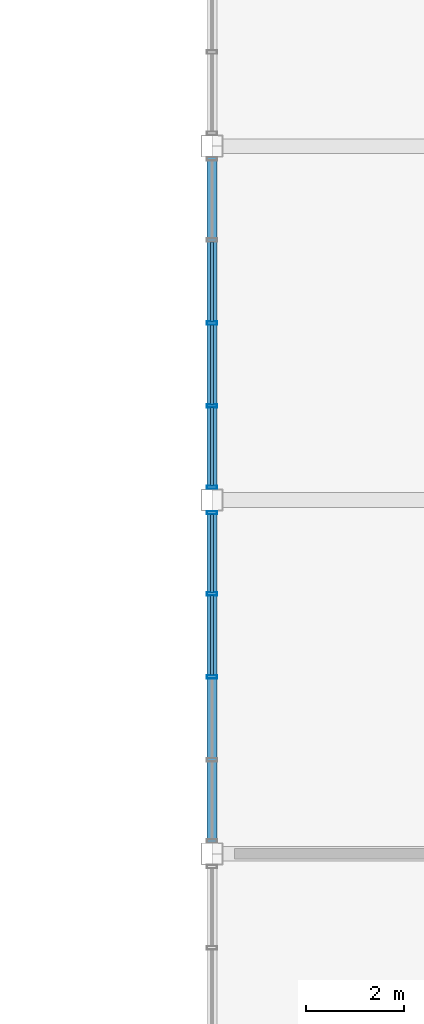
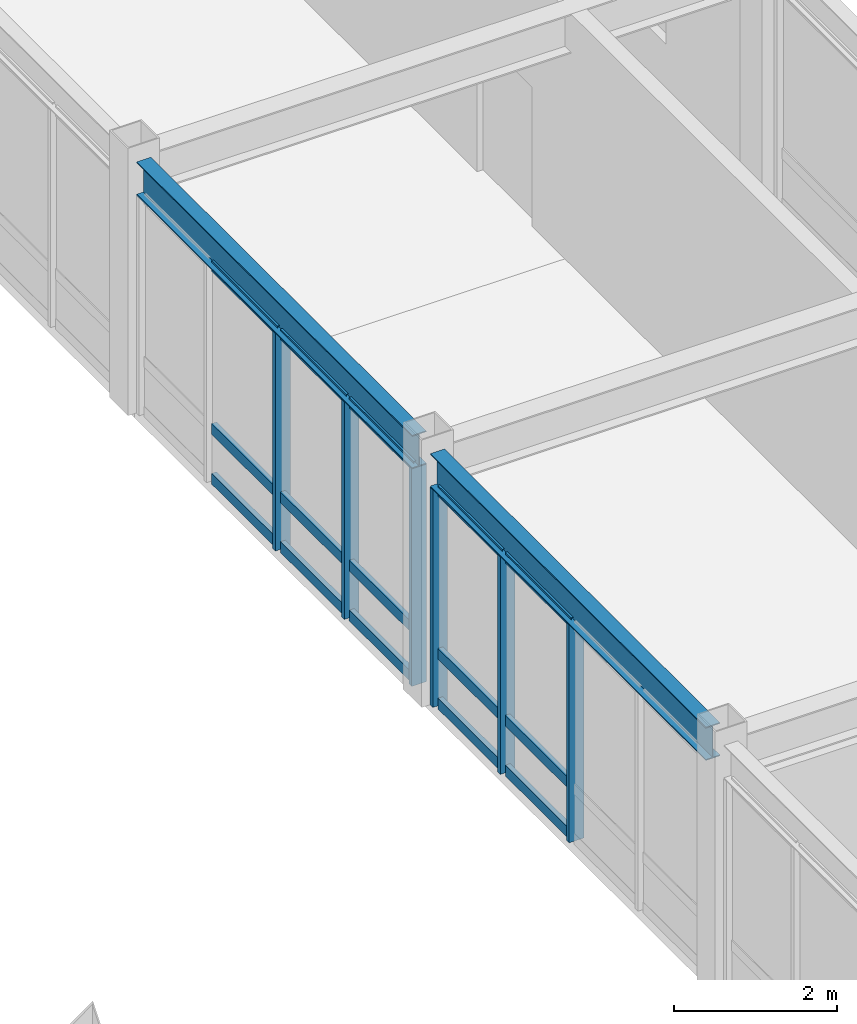
# One storey, part 30 of 122: 21 members, 2 beams, 2 elements without a shape of their own.
"""IFC4 building model written with IfcOpenShell, lengths in metres."""

import ifcopenshell
import ifcopenshell.guid

model = None  # the IFC model being written
_history = None  # IfcOwnerHistory: only IFC2X3 demands one
_inside = {}  # id of a spatial element -> (the spatial element, [elements in it])
_under = {}  # id of a project, library or spatial element -> (it, [spatial elements below it])
_declared = {}  # id of a project -> (the project, [libraries it declares])
_typed = {}  # id of a type object -> (the type object, [elements of that type])
_made_of = {}  # id of a material, layer set ... -> (it, [elements and type objects made of it])


def new_model(schema):
    """Start an empty IFC model of exactly this schema.

    Asked for "IFC4X3", IfcOpenShell would pick the latest addendum, in which some entities
    have other attributes; the version numbers below select the first issue.
    IFC2X3 requires an IfcOwnerHistory on every rooted entity: one is made here for all.
    """
    global model, _history
    if schema == "IFC4X3":
        model = ifcopenshell.file(schema_version=(4, 3, 0, 0))
    else:
        model = ifcopenshell.file(schema=schema)
    _inside.clear()
    _under.clear()
    _declared.clear()
    _typed.clear()
    _made_of.clear()
    _history = None
    if model.schema == "IFC2X3":
        org = make("IfcOrganization", Name="unknown")
        user = make(
            "IfcPersonAndOrganization",
            ThePerson=make("IfcPerson", FamilyName="unknown"),
            TheOrganization=org,
        )
        app = make(
            "IfcApplication",
            ApplicationDeveloper=org,
            Version="unknown",
            ApplicationFullName="unknown",
            ApplicationIdentifier="unknown",
        )
        _history = make(
            "IfcOwnerHistory",
            OwningUser=user,
            OwningApplication=app,
            ChangeAction="ADDED",
            CreationDate=0,
        )
    return model


def make(cls, **values):
    """One entity of the class cls with the attributes given. An attribute that is None is left unset."""
    return model.create_entity(
        cls, **{name: value for name, value in values.items() if value is not None}
    )


def rooted(cls, **values):
    """An entity with a GlobalId (a new one), such as an element, a storey or a relation."""
    return make(cls, GlobalId=ifcopenshell.guid.new(), OwnerHistory=_history, **values)


def si_unit(unit_type, name, prefix=None):
    """IfcSIUnit, for example si_unit("LENGTHUNIT", "METRE", prefix="MILLI")."""
    return make("IfcSIUnit", UnitType=unit_type, Prefix=prefix, Name=name)


def assignment(units):
    """IfcUnitAssignment: the units of a project."""
    return None if units is None else make("IfcUnitAssignment", Units=units)


def point(xyz):
    """IfcCartesianPoint."""
    return None if xyz is None else make("IfcCartesianPoint", Coordinates=xyz)


def direction(xyz):
    """IfcDirection."""
    return None if xyz is None else make("IfcDirection", DirectionRatios=xyz)


def frame(location, z_axis=None, x_axis=None):
    """IfcAxis2Placement3D, a coordinate frame: its origin and axes. An axis left out is left unset."""
    return make(
        "IfcAxis2Placement3D",
        Location=point(location),
        Axis=direction(z_axis),
        RefDirection=direction(x_axis),
    )


def frame_2d(location, x_axis=None):
    """IfcAxis2Placement2D, a coordinate frame in the plane: its origin and x axis."""
    return make(
        "IfcAxis2Placement2D", Location=point(location), RefDirection=direction(x_axis)
    )


def origin():
    """The frame at (0, 0, 0) with its axes left unset."""
    return frame((0.0, 0.0, 0.0))


def origin_2d():
    """The frame at (0, 0) in the plane with its x axis left unset."""
    return frame_2d((0.0, 0.0))


def place(relative_to, where):
    """IfcLocalPlacement: puts the frame where relative to a parent placement (None: the world)."""
    return make(
        "IfcLocalPlacement", PlacementRelTo=relative_to, RelativePlacement=where
    )


def context(
    kind, dimensions, precision=None, world=None, true_north=None, identifier=None
):
    """IfcGeometricRepresentationContext, for example the 3D "Model" context."""
    return make(
        "IfcGeometricRepresentationContext",
        ContextIdentifier=identifier,
        ContextType=kind,
        CoordinateSpaceDimension=dimensions,
        Precision=precision,
        WorldCoordinateSystem=world,
        TrueNorth=true_north,
    )


def subcontext(parent, identifier, kind, view, scale=None):
    """IfcGeometricRepresentationSubContext, for example "Body" below "Model"."""
    return make(
        "IfcGeometricRepresentationSubContext",
        ContextIdentifier=identifier,
        ContextType=kind,
        ParentContext=parent,
        TargetScale=scale,
        TargetView=view,
    )


def project(units=None, contexts=None):
    """IfcProject with its units and contexts."""
    return rooted(
        "IfcProject",
        Name="project",
        RepresentationContexts=contexts,
        UnitsInContext=assignment(units),
    )


def spatial(cls, under=None, at=None, **own):
    """A site, building, storey or space (cls), placed at a placement, below another one or the project."""
    s = rooted(cls, ObjectPlacement=at, **own)
    if under is not None:
        _under.setdefault(under.id(), (under, []))[1].append(s)
    return s


def profile(cls, at=None, kind="AREA", **sizes):
    """A parametric profile (cls). Its sizes go by their IFC names, for example OverallWidth=200.0."""
    return make(cls, ProfileType=kind, Position=at, **sizes)


def hollow_rectangle(**sizes):
    """IfcRectangleHollowProfileDef."""
    return profile("IfcRectangleHollowProfileDef", **sizes)


def i_section(**sizes):
    """IfcIShapeProfileDef."""
    return profile("IfcIShapeProfileDef", **sizes)


def extrude(swept, where, along, depth):
    """IfcExtrudedAreaSolid: the profile swept, set in the frame where, extruded along a direction by depth."""
    return make(
        "IfcExtrudedAreaSolid",
        SweptArea=swept,
        Position=where,
        ExtrudedDirection=direction(along),
        Depth=depth,
    )


def shape(context_of_items, identifier, shape_type, items):
    """IfcShapeRepresentation: the items that make up one representation, for example the "Body"."""
    return make(
        "IfcShapeRepresentation",
        ContextOfItems=context_of_items,
        RepresentationIdentifier=identifier,
        RepresentationType=shape_type,
        Items=items,
    )


def material(Name=None, Category=None):
    """IfcMaterial."""
    return make("IfcMaterial", Name=Name, Category=Category)


def material_profile(
    of_material, cross_section, Name=None, Category=None, Priority=None
):
    """IfcMaterialProfile: a cross section and its material."""
    return make(
        "IfcMaterialProfile",
        Name=Name,
        Material=of_material,
        Profile=cross_section,
        Priority=Priority,
        Category=Category,
    )


def profile_set(profiles, Name=None, composite=None):
    """IfcMaterialProfileSet."""
    return make(
        "IfcMaterialProfileSet",
        Name=Name,
        MaterialProfiles=profiles,
        CompositeProfile=composite,
    )


def made_of(thing, what):
    """Note that an element or type object is made of a material, layer set ...; save() writes the relation."""
    if what is not None:
        _made_of.setdefault(what.id(), (what, []))[1].append(thing)
    return thing


def type_object(cls, material=None, **own):
    """A type object (cls), such as IfcWallType, which elements share."""
    return made_of(rooted(cls, **own), material)


def element(
    cls,
    number,
    at=None,
    inside=None,
    cuts=None,
    type_object=None,
    material=None,
    context=None,
    identifier="Body",
    shape_type=None,
    held_by="IfcProductDefinitionShape",
    body=None,
    shapes=None,
    **own,
):
    """One element of the class cls, such as IfcWall. Its Tag is "e" and its number.

    at: its placement. inside: the storey or other place that contains it. cuts: it is an
    opening in that element (IfcRelVoidsElement). A single representation is given by context,
    identifier, shape_type and body (its items); several are given by shapes. held_by: the class
    of the entity that holds the representations. save() writes the other relations.
    """
    e = rooted(cls, Tag="e%d" % number, ObjectPlacement=at, **own)
    if body is not None:
        shapes = [shape(context, identifier, shape_type, body)]
    if shapes is not None:
        e.Representation = make(held_by, Representations=shapes)
    if inside is not None:
        _inside.setdefault(inside.id(), (inside, []))[1].append(e)
    if cuts is not None:
        rooted(
            "IfcRelVoidsElement", RelatingBuildingElement=cuts, RelatedOpeningElement=e
        )
    if type_object is not None:
        _typed.setdefault(type_object.id(), (type_object, []))[1].append(e)
    return made_of(e, material)


def aggregate(whole, parts):
    """IfcRelAggregates: a whole, such as a stair, and the parts it consists of."""
    return rooted("IfcRelAggregates", RelatingObject=whole, RelatedObjects=parts)


def save(model, path):
    """Write the relations noted so far, then the file.

    IfcRelAggregates (storeys below a building ...), IfcRelContainedInSpatialStructure (elements
    in a storey), IfcRelDefinesByType, IfcRelAssociatesMaterial and IfcRelDeclares: one each for
    every whole, place, type object, material and project.
    """
    for whole, parts in _under.values():
        aggregate(whole, parts)
    for where, things in _inside.values():
        rooted(
            "IfcRelContainedInSpatialStructure",
            RelatedElements=things,
            RelatingStructure=where,
        )
    for kind, things in _typed.values():
        rooted("IfcRelDefinesByType", RelatedObjects=things, RelatingType=kind)
    for what, things in _made_of.values():
        rooted("IfcRelAssociatesMaterial", RelatedObjects=things, RelatingMaterial=what)
    for by, libraries in _declared.values():
        rooted("IfcRelDeclares", RelatingContext=by, RelatedDefinitions=libraries)
    model.write(path)


model = new_model("IFC4")

# Units and contexts
model_context = context("Model", 3, precision=1e-05, world=origin(), true_north=direction((0.0, 1.0)))
body_context = subcontext(model_context, "Body", "Model", "MODEL_VIEW")
ifc_project = project(units=[si_unit("LENGTHUNIT", "METRE"), si_unit("AREAUNIT", "SQUARE_METRE"), si_unit("VOLUMEUNIT", "CUBIC_METRE"), si_unit("PLANEANGLEUNIT", "RADIAN"), si_unit("MASSUNIT", "GRAM", prefix="KILO")], contexts=[model_context])

# Site, building, storey
site_placement = place(None, origin())
site = spatial("IfcSite", under=ifc_project, at=site_placement, CompositionType="ELEMENT")
building_placement = place(site_placement, origin())
building = spatial("IfcBuilding", under=site, at=building_placement, Name="Kazanami Central Library", CompositionType="ELEMENT")
storey_placement = place(building_placement, frame((0.0, 0.0, 4.800048828125)))
storey = spatial("IfcBuildingStorey", under=building, at=storey_placement, Name="L02", CompositionType="ELEMENT", Elevation=4.800048828125)

# Beams
ifc_material_1 = material(Name="Steel SN490B (325 MPa)", Category="steel")
ifc_material_profile_1 = material_profile(ifc_material_1, i_section(OverallWidth=0.199951171875, OverallDepth=0.5, WebThickness=0.010009765625, FlangeThickness=0.01611328125, at=origin_2d()), Name="H-500x200x10x16")
ifc_profile_set_1 = profile_set([ifc_material_profile_1], Name="Steel SN490B (325 MPa)")
beam_type = type_object("IfcBeamType", Name="BM-SP-1", PredefinedType="SPANDREL", material=ifc_profile_set_1)
beam_1_placement = place(storey_placement, frame((45.0, 36.222900390625, 3.5048828125), z_axis=(0.0, 1.0, 0.0), x_axis=(-1.0, 0.0, 0.0)))
element("IfcBeam", 1, at=beam_1_placement, inside=storey, type_object=beam_type, Name="Girder SP-1 L02 6/F-G", PredefinedType="SPANDREL", context=body_context, shape_type="SweptSolid", body=[
    extrude(i_section(OverallWidth=0.199951171875, OverallDepth=0.5, WebThickness=0.010009765625, FlangeThickness=0.01611328125, at=origin_2d()), origin(), (0.0, 0.0, 1.0), 6.754150390625),
])
beam_2_placement = place(storey_placement, frame((45.0, 43.423095703125, 3.5048828125), z_axis=(0.0, 1.0, 0.0), x_axis=(-1.0, 0.0, 0.0)))
element("IfcBeam", 2, at=beam_2_placement, inside=storey, type_object=beam_type, Name="Girder SP-1 L02 6/G-H", PredefinedType="SPANDREL", context=body_context, shape_type="SweptSolid", body=[
    extrude(i_section(OverallWidth=0.199951171875, OverallDepth=0.5, WebThickness=0.010009765625, FlangeThickness=0.01611328125, at=origin_2d()), origin(), (0.0, 0.0, 1.0), 6.75390625),
])

# Curtain wall, members
ifc_material_2 = material(Name="Acid-Etched Low-E Laminated Glass", Category="glass")
curtain_wall_type = type_object("IfcCurtainWallType", Name="CW-6750x3255-M180", PredefinedType="USERDEFINED", material=ifc_material_2)
curtain_wall_1_placement = place(storey_placement, origin())
curtain_wall_1 = element("IfcCurtainWall", 3, at=curtain_wall_1_placement, inside=storey, type_object=curtain_wall_type, Name="Covered Link Bridge Curtain Wall CW-21 L02 W-6-05", ObjectType="UNITISED CURTAIN WALL", PredefinedType="USERDEFINED")
ifc_material_3 = material(Name="Anodised Aluminium A6063-T5", Category="aluminium")
ifc_material_profile_2 = material_profile(ifc_material_3, hollow_rectangle(XDim=0.070068359375, YDim=0.2099609375, WallThickness=0.0048828125, at=origin_2d()), Name="ALU-MULL-70x210x5")
ifc_profile_set_2 = profile_set([ifc_material_profile_2], Name="Anodised Aluminium A6063-T5")
member_type_1 = type_object("IfcMemberType", Name="MEM-CW-M1", PredefinedType="MULLION", material=ifc_profile_set_2)
member_1_placement = place(storey_placement, frame((45.0, 39.60009765625, 0.0), z_axis=(0.0, 0.0, 1.0), x_axis=(0.0, 1.0, 0.0)))
member_1 = element("IfcMember", 4, at=member_1_placement, type_object=member_type_1, Name="CW-21 mullion 3", PredefinedType="MULLION", context=body_context, shape_type="SweptSolid", body=[
    extrude(hollow_rectangle(XDim=0.070068359375, YDim=0.2099609375, WallThickness=0.0048828125, at=origin_2d()), origin(), (0.0, 0.0, 1.0), 3.2548828125),
])
member_2_placement = place(storey_placement, frame((45.0, 41.28759765625, 0.0), z_axis=(0.0, 0.0, 1.0), x_axis=(0.0, 1.0, 0.0)))
member_2 = element("IfcMember", 5, at=member_2_placement, type_object=member_type_1, Name="CW-21 mullion 4", PredefinedType="MULLION", context=body_context, shape_type="SweptSolid", body=[
    extrude(hollow_rectangle(XDim=0.070068359375, YDim=0.2099609375, WallThickness=0.0048828125, at=origin_2d()), origin(), (0.0, 0.0, 1.0), 3.2548828125),
])
member_3_placement = place(storey_placement, frame((45.0, 42.93994140625, 0.0), z_axis=(0.0, 0.0, 1.0), x_axis=(0.0, 1.0, 0.0)))
member_3 = element("IfcMember", 6, at=member_3_placement, type_object=member_type_1, Name="CW-21 mullion 5", PredefinedType="MULLION", context=body_context, shape_type="SweptSolid", body=[
    extrude(hollow_rectangle(XDim=0.070068359375, YDim=0.2099609375, WallThickness=0.0048828125, at=origin_2d()), origin(), (0.0, 0.0, 1.0), 3.2548828125),
])

curtain_wall_2_placement = place(storey_placement, origin())
curtain_wall_2 = element("IfcCurtainWall", 7, at=curtain_wall_2_placement, inside=storey, type_object=curtain_wall_type, Name="Covered Link Bridge Curtain Wall CW-21 L02 W-6-06", ObjectType="UNITISED CURTAIN WALL", PredefinedType="USERDEFINED")
member_4_placement = place(storey_placement, frame((45.0, 43.4599609375, 0.0), z_axis=(0.0, 0.0, 1.0), x_axis=(0.0, 1.0, 0.0)))
member_4 = element("IfcMember", 8, at=member_4_placement, type_object=member_type_1, Name="CW-21 mullion 1", PredefinedType="MULLION", context=body_context, shape_type="SweptSolid", body=[
    extrude(hollow_rectangle(XDim=0.070068359375, YDim=0.2099609375, WallThickness=0.0048828125, at=origin_2d()), origin(), (0.0, 0.0, 1.0), 3.2548828125),
])
member_5_placement = place(storey_placement, frame((45.0, 45.112548828125, 0.0), z_axis=(0.0, 0.0, 1.0), x_axis=(0.0, 1.0, 0.0)))
member_5 = element("IfcMember", 9, at=member_5_placement, type_object=member_type_1, Name="CW-21 mullion 2", PredefinedType="MULLION", context=body_context, shape_type="SweptSolid", body=[
    extrude(hollow_rectangle(XDim=0.070068359375, YDim=0.2099609375, WallThickness=0.0048828125, at=origin_2d()), origin(), (0.0, 0.0, 1.0), 3.2548828125),
])
member_6_placement = place(storey_placement, frame((45.0, 46.800048828125, 0.0), z_axis=(0.0, 0.0, 1.0), x_axis=(0.0, 1.0, 0.0)))
member_6 = element("IfcMember", 10, at=member_6_placement, type_object=member_type_1, Name="CW-21 mullion 3", PredefinedType="MULLION", context=body_context, shape_type="SweptSolid", body=[
    extrude(hollow_rectangle(XDim=0.070068359375, YDim=0.2099609375, WallThickness=0.0048828125, at=origin_2d()), origin(), (0.0, 0.0, 1.0), 3.2548828125),
])

# Member
ifc_material_profile_3 = material_profile(ifc_material_3, hollow_rectangle(XDim=0.070068359375, YDim=0.159912109375, WallThickness=0.00390625, at=origin_2d()), Name="ALU-TRAN-70x160x4")
ifc_profile_set_3 = profile_set([ifc_material_profile_3], Name="Anodised Aluminium A6063-T5")
member_type_2 = type_object("IfcMemberType", Name="MEM-CW-T1", PredefinedType="USERDEFINED", material=ifc_profile_set_3)
member_7_placement = place(storey_placement, frame((45.0, 39.635009765625, 0.034912109375), z_axis=(0.0, 1.0, 0.0), x_axis=(-1.0, 0.0, 0.0)))
member_7 = element("IfcMember", 11, at=member_7_placement, type_object=member_type_2, Name="CW-21 transom 3.1", ObjectType="TRANSOM", PredefinedType="USERDEFINED", context=body_context, shape_type="SweptSolid", body=[
    extrude(hollow_rectangle(XDim=0.070068359375, YDim=0.159912109375, WallThickness=0.00390625, at=origin_2d()), origin(), (0.0, 0.0, 1.0), 1.617431640625),
])

member_8_placement = place(storey_placement, frame((45.0, 39.635009765625, 0.780029296875), z_axis=(0.0, 1.0, 0.0), x_axis=(-1.0, 0.0, 0.0)))
member_8 = element("IfcMember", 12, at=member_8_placement, type_object=member_type_2, Name="CW-21 transom 3.2", ObjectType="TRANSOM", PredefinedType="USERDEFINED", context=body_context, shape_type="SweptSolid", body=[
    extrude(hollow_rectangle(XDim=0.070068359375, YDim=0.159912109375, WallThickness=0.00390625, at=origin_2d()), origin(), (0.0, 0.0, 1.0), 1.617431640625),
])

member_9_placement = place(storey_placement, frame((45.0, 39.635009765625, 3.219970703125), z_axis=(0.0, 1.0, 0.0), x_axis=(-1.0, 0.0, 0.0)))
member_9 = element("IfcMember", 13, at=member_9_placement, type_object=member_type_2, Name="CW-21 transom 3.3", ObjectType="TRANSOM", PredefinedType="USERDEFINED", context=body_context, shape_type="SweptSolid", body=[
    extrude(hollow_rectangle(XDim=0.070068359375, YDim=0.159912109375, WallThickness=0.00390625, at=origin_2d()), origin(), (0.0, 0.0, 1.0), 1.617431640625),
])

member_10_placement = place(storey_placement, frame((45.0, 41.322509765625, 0.034912109375), z_axis=(0.0, 1.0, 0.0), x_axis=(-1.0, 0.0, 0.0)))
member_10 = element("IfcMember", 14, at=member_10_placement, type_object=member_type_2, Name="CW-21 transom 4.1", ObjectType="TRANSOM", PredefinedType="USERDEFINED", context=body_context, shape_type="SweptSolid", body=[
    extrude(hollow_rectangle(XDim=0.070068359375, YDim=0.159912109375, WallThickness=0.00390625, at=origin_2d()), origin(), (0.0, 0.0, 1.0), 1.58251953125),
])

member_11_placement = place(storey_placement, frame((45.0, 41.322509765625, 0.780029296875), z_axis=(0.0, 1.0, 0.0), x_axis=(-1.0, 0.0, 0.0)))
member_11 = element("IfcMember", 15, at=member_11_placement, type_object=member_type_2, Name="CW-21 transom 4.2", ObjectType="TRANSOM", PredefinedType="USERDEFINED", context=body_context, shape_type="SweptSolid", body=[
    extrude(hollow_rectangle(XDim=0.070068359375, YDim=0.159912109375, WallThickness=0.00390625, at=origin_2d()), origin(), (0.0, 0.0, 1.0), 1.58251953125),
])

member_12_placement = place(storey_placement, frame((45.0, 41.322509765625, 3.219970703125), z_axis=(0.0, 1.0, 0.0), x_axis=(-1.0, 0.0, 0.0)))
member_12 = element("IfcMember", 16, at=member_12_placement, type_object=member_type_2, Name="CW-21 transom 4.3", ObjectType="TRANSOM", PredefinedType="USERDEFINED", context=body_context, shape_type="SweptSolid", body=[
    extrude(hollow_rectangle(XDim=0.070068359375, YDim=0.159912109375, WallThickness=0.00390625, at=origin_2d()), origin(), (0.0, 0.0, 1.0), 1.58251953125),
])

aggregate(curtain_wall_1, [member_1, member_2, member_3, member_7, member_8, member_9, member_10, member_11, member_12])

member_13_placement = place(storey_placement, frame((45.0, 43.4951171875, 0.034912109375), z_axis=(0.0, 1.0, 0.0), x_axis=(-1.0, 0.0, 0.0)))
member_13 = element("IfcMember", 17, at=member_13_placement, type_object=member_type_2, Name="CW-21 transom 1.1", ObjectType="TRANSOM", PredefinedType="USERDEFINED", context=body_context, shape_type="SweptSolid", body=[
    extrude(hollow_rectangle(XDim=0.070068359375, YDim=0.159912109375, WallThickness=0.00390625, at=origin_2d()), origin(), (0.0, 0.0, 1.0), 1.582275390625),
])

member_14_placement = place(storey_placement, frame((45.0, 43.4951171875, 0.780029296875), z_axis=(0.0, 1.0, 0.0), x_axis=(-1.0, 0.0, 0.0)))
member_14 = element("IfcMember", 18, at=member_14_placement, type_object=member_type_2, Name="CW-21 transom 1.2", ObjectType="TRANSOM", PredefinedType="USERDEFINED", context=body_context, shape_type="SweptSolid", body=[
    extrude(hollow_rectangle(XDim=0.070068359375, YDim=0.159912109375, WallThickness=0.00390625, at=origin_2d()), origin(), (0.0, 0.0, 1.0), 1.582275390625),
])

member_15_placement = place(storey_placement, frame((45.0, 43.4951171875, 3.219970703125), z_axis=(0.0, 1.0, 0.0), x_axis=(-1.0, 0.0, 0.0)))
member_15 = element("IfcMember", 19, at=member_15_placement, type_object=member_type_2, Name="CW-21 transom 1.3", ObjectType="TRANSOM", PredefinedType="USERDEFINED", context=body_context, shape_type="SweptSolid", body=[
    extrude(hollow_rectangle(XDim=0.070068359375, YDim=0.159912109375, WallThickness=0.00390625, at=origin_2d()), origin(), (0.0, 0.0, 1.0), 1.582275390625),
])

member_16_placement = place(storey_placement, frame((45.0, 45.1474609375, 0.034912109375), z_axis=(0.0, 1.0, 0.0), x_axis=(-1.0, 0.0, 0.0)))
member_16 = element("IfcMember", 20, at=member_16_placement, type_object=member_type_2, Name="CW-21 transom 2.1", ObjectType="TRANSOM", PredefinedType="USERDEFINED", context=body_context, shape_type="SweptSolid", body=[
    extrude(hollow_rectangle(XDim=0.070068359375, YDim=0.159912109375, WallThickness=0.00390625, at=origin_2d()), origin(), (0.0, 0.0, 1.0), 1.617431640625),
])

member_17_placement = place(storey_placement, frame((45.0, 45.1474609375, 0.780029296875), z_axis=(0.0, 1.0, 0.0), x_axis=(-1.0, 0.0, 0.0)))
member_17 = element("IfcMember", 21, at=member_17_placement, type_object=member_type_2, Name="CW-21 transom 2.2", ObjectType="TRANSOM", PredefinedType="USERDEFINED", context=body_context, shape_type="SweptSolid", body=[
    extrude(hollow_rectangle(XDim=0.070068359375, YDim=0.159912109375, WallThickness=0.00390625, at=origin_2d()), origin(), (0.0, 0.0, 1.0), 1.617431640625),
])

member_18_placement = place(storey_placement, frame((45.0, 45.1474609375, 3.219970703125), z_axis=(0.0, 1.0, 0.0), x_axis=(-1.0, 0.0, 0.0)))
member_18 = element("IfcMember", 22, at=member_18_placement, type_object=member_type_2, Name="CW-21 transom 2.3", ObjectType="TRANSOM", PredefinedType="USERDEFINED", context=body_context, shape_type="SweptSolid", body=[
    extrude(hollow_rectangle(XDim=0.070068359375, YDim=0.159912109375, WallThickness=0.00390625, at=origin_2d()), origin(), (0.0, 0.0, 1.0), 1.617431640625),
])

member_19_placement = place(storey_placement, frame((45.0, 46.8349609375, 0.034912109375), z_axis=(0.0, 1.0, 0.0), x_axis=(-1.0, 0.0, 0.0)))
member_19 = element("IfcMember", 23, at=member_19_placement, type_object=member_type_2, Name="CW-21 transom 3.1", ObjectType="TRANSOM", PredefinedType="USERDEFINED", context=body_context, shape_type="SweptSolid", body=[
    extrude(hollow_rectangle(XDim=0.070068359375, YDim=0.159912109375, WallThickness=0.00390625, at=origin_2d()), origin(), (0.0, 0.0, 1.0), 1.617431640625),
])

member_20_placement = place(storey_placement, frame((45.0, 46.8349609375, 0.780029296875), z_axis=(0.0, 1.0, 0.0), x_axis=(-1.0, 0.0, 0.0)))
member_20 = element("IfcMember", 24, at=member_20_placement, type_object=member_type_2, Name="CW-21 transom 3.2", ObjectType="TRANSOM", PredefinedType="USERDEFINED", context=body_context, shape_type="SweptSolid", body=[
    extrude(hollow_rectangle(XDim=0.070068359375, YDim=0.159912109375, WallThickness=0.00390625, at=origin_2d()), origin(), (0.0, 0.0, 1.0), 1.617431640625),
])

member_21_placement = place(storey_placement, frame((45.0, 46.8349609375, 3.219970703125), z_axis=(0.0, 1.0, 0.0), x_axis=(-1.0, 0.0, 0.0)))
member_21 = element("IfcMember", 25, at=member_21_placement, type_object=member_type_2, Name="CW-21 transom 3.3", ObjectType="TRANSOM", PredefinedType="USERDEFINED", context=body_context, shape_type="SweptSolid", body=[
    extrude(hollow_rectangle(XDim=0.070068359375, YDim=0.159912109375, WallThickness=0.00390625, at=origin_2d()), origin(), (0.0, 0.0, 1.0), 1.617431640625),
])

aggregate(curtain_wall_2, [member_4, member_5, member_6, member_13, member_14, member_15, member_16, member_17, member_18, member_19, member_20, member_21])

save(model, "model.ifc")
